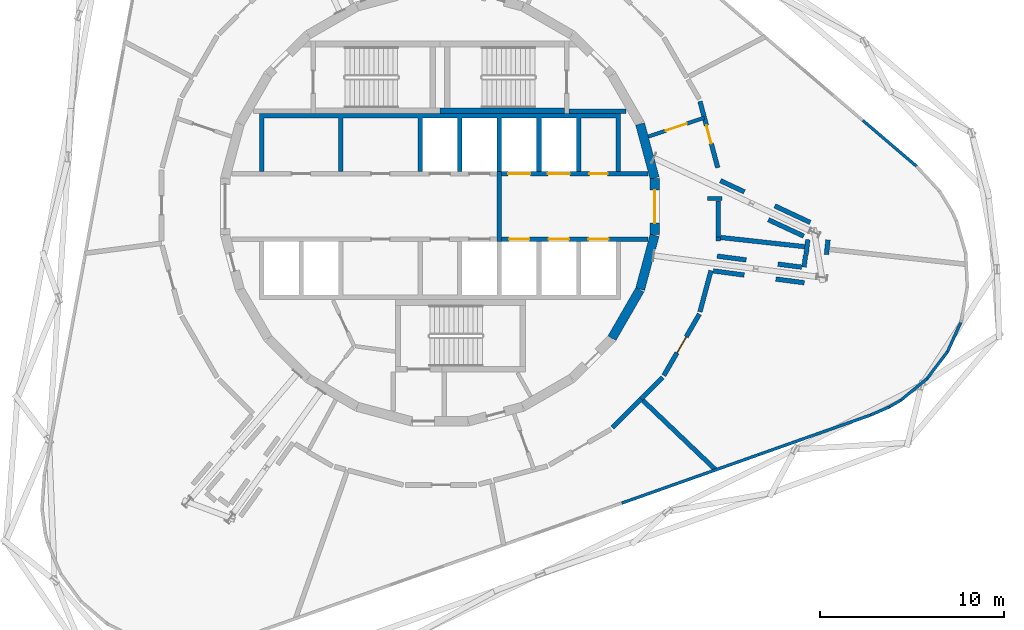
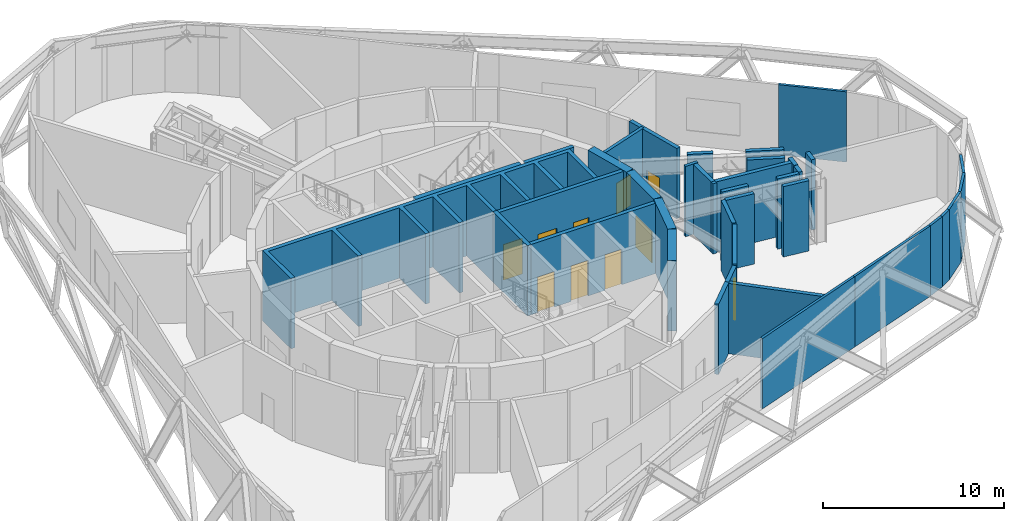
# One storey, part 7 of 12: 39 walls, 10 doors, 10 openings.
"""IFC4 building model written with IfcOpenShell, lengths in metres."""

from ifc_helpers import new_model, si_unit, direction, frame, frame_2d, origin, place, context, subcontext, project, spatial, polyline, rectangle, outline, extrude, material, layer, layer_set, type_object, element, fill, save


model = new_model("IFC4")

# Units and contexts
model_context = context("Model", 3, precision=1e-05, world=origin(), true_north=direction((0.0, 1.0)))
body_context = subcontext(model_context, "Body", "Model", "MODEL_VIEW")
ifc_project = project(units=[si_unit("LENGTHUNIT", "METRE"), si_unit("AREAUNIT", "SQUARE_METRE"), si_unit("VOLUMEUNIT", "CUBIC_METRE"), si_unit("PLANEANGLEUNIT", "RADIAN"), si_unit("MASSUNIT", "GRAM", prefix="KILO")], contexts=[model_context])

# Site, building, storey
site_placement = place(None, origin())
site = spatial("IfcSite", under=ifc_project, at=site_placement, CompositionType="ELEMENT")
building_placement = place(site_placement, origin())
building = spatial("IfcBuilding", under=site, at=building_placement, Name="Spindle Arch Residences", CompositionType="ELEMENT")
storey_placement = place(building_placement, frame((0.0, 0.0, 183.199951171875)))
storey = spatial("IfcBuildingStorey", under=building, at=storey_placement, Name="L46", CompositionType="ELEMENT", Elevation=183.199951171875)

# Walls
ifc_material_1 = material(Name="Concrete C50/60", Category="concrete")
ifc_layer_1 = layer(ifc_material_1, 0.5)
ifc_layer_set_1 = layer_set([ifc_layer_1], Name="Core outline wall 500")
wall_type_1 = type_object("IfcWallType", Name="Core outline wall 500", PredefinedType="SHEAR", material=ifc_layer_set_1)
for number, where, z_axis, x_axis, name in (
    (1, (9.32861328125, -7.13671875, 0.0), (0.0, 0.0, 1.0), (0.500087131594, 0.865975092491, 0.0), "Core outline wall 4"),
    (2, (10.858154296875, -4.479248046875, 0.0), (0.0, 0.0, 1.0), (0.258734743916, 0.965948410781, 0.0), "Core outline wall 5"),
):
    element("IfcWall", number, at=place(storey_placement, frame(where, z_axis=z_axis, x_axis=x_axis)), inside=storey, type_object=wall_type_1, Name=name, PredefinedType="SHEAR", context=body_context, shape_type="SweptSolid", body=[
        extrude(rectangle(XDim=3.03271484375, YDim=0.5, at=frame_2d((1.516357421875, 0.0))), origin(), (0.0, 0.0, 1.0), 4.75),
    ])

# Wall, opening, door
wall_1_placement = place(storey_placement, frame((11.647216796875, -1.516357421875, 0.0), z_axis=(0.0, 0.0, 1.0), x_axis=(0.0, 1.0, 0.0)))
wall_1 = element("IfcWall", 3, at=wall_1_placement, inside=storey, type_object=wall_type_1, Name="Core outline wall 6", PredefinedType="SHEAR", context=body_context, shape_type="SweptSolid", body=[
    extrude(rectangle(XDim=3.03271484375, YDim=0.5, at=frame_2d((1.516357421875, 0.0))), origin(), (0.0, 0.0, 1.0), 4.75),
])
opening_1_placement = place(wall_1_placement, frame((0.6162109375, 0.0, 0.0)))
opening_1 = element("IfcOpeningElement", 4, at=opening_1_placement, cuts=wall_1, Name="Opening L46-FE01", PredefinedType="OPENING", context=body_context, shape_type="SweptSolid", body=[
    extrude(rectangle(XDim=1.800048828125, YDim=2.10009765625, at=frame_2d((0.89990234375, 1.050048828125))), frame((0.0, 0.260009765625, 0.0), z_axis=(0.0, -1.0, 0.0), x_axis=(1.0, 0.0, 0.0)), (0.0, 0.0, 1.0), 0.52001953125),
])
ifc_material_2 = material(Name="Steel, fire-resisting door", Category="steel")
door_type_1 = type_object("IfcDoorType", Name="Fire-lift lobby door 1800x2100", OperationType="DOUBLE_DOOR_SINGLE_SWING", PredefinedType="DOOR", material=ifc_material_2)
door_1_placement = place(opening_1_placement, origin())
door_1 = element("IfcDoor", 5, at=door_1_placement, inside=storey, type_object=door_type_1, Name="Fire-lift lobby door L46-FE01", OperationType="DOUBLE_DOOR_SINGLE_SWING", OverallHeight=2.10009765625, OverallWidth=1.800048828125, PredefinedType="DOOR", context=body_context, shape_type="SweptSolid", body=[
    extrude(rectangle(XDim=1.800048828125, YDim=2.10009765625, at=frame_2d((0.89990234375, 1.050048828125))), frame((0.0, 0.02490234375, 0.0), z_axis=(0.0, -1.0, 0.0), x_axis=(1.0, 0.0, 0.0)), (0.0, 0.0, 1.0), 0.050048828125),
])
fill(opening_1, door_1)

# Wall
wall_2_placement = place(storey_placement, frame((11.642822265625, 1.5498046875, 0.0), z_axis=(0.0, 0.0, 1.0), x_axis=(-0.258734743916, 0.965948410781, 0.0)))
element("IfcWall", 6, at=wall_2_placement, inside=storey, type_object=wall_type_1, Name="Core outline wall 7", PredefinedType="SHEAR", context=body_context, shape_type="SweptSolid", body=[
    extrude(rectangle(XDim=3.03271484375, YDim=0.5, at=frame_2d((1.516357421875, 0.0))), origin(), (0.0, 0.0, 1.0), 4.75),
])

# Wall, openings, doors
ifc_material_3 = material(Name="Concrete C40/50", Category="concrete")
ifc_layer_2 = layer(ifc_material_3, 0.25)
ifc_layer_set_2 = layer_set([ifc_layer_2], Name="Fire-lift lobby wall 250")
wall_type_2 = type_object("IfcWallType", Name="Fire-lift lobby wall 250", PredefinedType="SHEAR", material=ifc_layer_set_2)
wall_3_placement = place(storey_placement, frame((3.35009765625, 1.77490234375, 0.0), z_axis=(0.0, 0.0, 1.0), x_axis=(1.0, 0.0, 0.0)))
wall_3 = element("IfcWall", 7, at=wall_3_placement, inside=storey, type_object=wall_type_2, Name="Lift shaft front wall NE", PredefinedType="SHEAR", context=body_context, shape_type="SweptSolid", body=[
    extrude(rectangle(XDim=7.929931640625, YDim=0.25, at=frame_2d((3.96484375, 0.0))), origin(), (0.0, 0.0, 1.0), 4.75),
])
opening_2_placement = place(wall_3_placement, frame((0.35009765625, 0.0, 0.0)))
opening_2 = element("IfcOpeningElement", 8, at=opening_2_placement, cuts=wall_3, Name="Opening L46-SLD01", PredefinedType="OPENING", context=body_context, shape_type="SweptSolid", body=[
    extrude(rectangle(XDim=1.199951171875, YDim=2.39990234375, at=frame_2d((0.60009765625, 1.199951171875))), frame((0.0, 0.135009765625, 0.0), z_axis=(0.0, -1.0, 0.0), x_axis=(1.0, 0.0, 0.0)), (0.0, 0.0, 1.0), 0.27001953125),
])
opening_3_placement = place(wall_3_placement, frame((2.5, 0.0, 0.0)))
opening_3 = element("IfcOpeningElement", 9, at=opening_3_placement, cuts=wall_3, Name="Opening L46-SLD02", PredefinedType="OPENING", context=body_context, shape_type="SweptSolid", body=[
    extrude(rectangle(XDim=1.199951171875, YDim=2.39990234375, at=frame_2d((0.60009765625, 1.199951171875))), frame((0.0, 0.135009765625, 0.0), z_axis=(0.0, -1.0, 0.0), x_axis=(1.0, 0.0, 0.0)), (0.0, 0.0, 1.0), 0.27001953125),
])
opening_4_placement = place(wall_3_placement, frame((4.75, 0.0, 0.0)))
opening_4 = element("IfcOpeningElement", 10, at=opening_4_placement, cuts=wall_3, Name="Opening L46-PD03", PredefinedType="OPENING", context=body_context, shape_type="SweptSolid", body=[
    extrude(rectangle(XDim=1.0, YDim=2.39990234375, at=frame_2d((0.5, 1.199951171875))), frame((0.0, 0.135009765625, 0.0), z_axis=(0.0, -1.0, 0.0), x_axis=(1.0, 0.0, 0.0)), (0.0, 0.0, 1.0), 0.27001953125),
])
ifc_material_4 = material(Name="Steel, fire-resisting door", Category="steel")
door_type_2 = type_object("IfcDoorType", Name="Plant room door 1000x2400", OperationType="SINGLE_SWING_LEFT", PredefinedType="DOOR", material=ifc_material_4)
door_2_placement = place(opening_4_placement, origin())
door_2 = element("IfcDoor", 11, at=door_2_placement, inside=storey, type_object=door_type_2, Name="Plant room door L46-PD03", OperationType="SINGLE_SWING_LEFT", OverallHeight=2.39990234375, OverallWidth=1.0, PredefinedType="DOOR", context=body_context, shape_type="SweptSolid", body=[
    extrude(rectangle(XDim=1.0, YDim=2.39990234375, at=frame_2d((0.5, 1.199951171875))), frame((0.0, 0.02490234375, 0.0), z_axis=(0.0, -1.0, 0.0), x_axis=(1.0, 0.0, 0.0)), (0.0, 0.0, 1.0), 0.050048828125),
])
fill(opening_4, door_2)
ifc_material_5 = material(Name="Steel, fire-resisting landing door", Category="steel")
door_type_3 = type_object("IfcDoorType", Name="Service lift landing door 1200x2400", OperationType="DOUBLE_DOOR_SLIDING", PredefinedType="DOOR", material=ifc_material_5)
door_3_placement = place(opening_2_placement, origin())
door_3 = element("IfcDoor", 12, at=door_3_placement, inside=storey, type_object=door_type_3, Name="Service lift landing door L46-SLD01", OperationType="DOUBLE_DOOR_SLIDING", OverallHeight=2.39990234375, OverallWidth=1.199951171875, PredefinedType="DOOR", context=body_context, shape_type="SweptSolid", body=[
    extrude(rectangle(XDim=1.199951171875, YDim=2.39990234375, at=frame_2d((0.60009765625, 1.199951171875))), frame((0.0, 0.02490234375, 0.0), z_axis=(0.0, -1.0, 0.0), x_axis=(1.0, 0.0, 0.0)), (0.0, 0.0, 1.0), 0.050048828125),
])
fill(opening_2, door_3)
door_4_placement = place(opening_3_placement, origin())
door_4 = element("IfcDoor", 13, at=door_4_placement, inside=storey, type_object=door_type_3, Name="Service lift landing door L46-SLD02", OperationType="DOUBLE_DOOR_SLIDING", OverallHeight=2.39990234375, OverallWidth=1.199951171875, PredefinedType="DOOR", context=body_context, shape_type="SweptSolid", body=[
    extrude(rectangle(XDim=1.199951171875, YDim=2.39990234375, at=frame_2d((0.60009765625, 1.199951171875))), frame((0.0, 0.02490234375, 0.0), z_axis=(0.0, -1.0, 0.0), x_axis=(1.0, 0.0, 0.0)), (0.0, 0.0, 1.0), 0.050048828125),
])
fill(opening_3, door_4)

# Wall
wall_4_placement = place(storey_placement, frame((3.22509765625, -1.89990234375, 0.0), z_axis=(0.0, 0.0, 1.0), x_axis=(0.0, 1.0, 0.0)))
element("IfcWall", 14, at=wall_4_placement, inside=storey, type_object=wall_type_2, Name="Fire-fighting lobby partition", PredefinedType="SHEAR", context=body_context, shape_type="SweptSolid", body=[
    extrude(rectangle(XDim=3.7998046875, YDim=0.25, at=frame_2d((1.89990234375, 0.0))), origin(), (0.0, 0.0, 1.0), 4.75),
])

# Wall, openings, doors
ifc_material_6 = material(Name="Concrete C50/60", Category="concrete")
ifc_layer_3 = layer(ifc_material_6, 0.25)
ifc_layer_set_3 = layer_set([ifc_layer_3], Name="Fire-lift shaft wall 250")
wall_type_3 = type_object("IfcWallType", Name="Fire-lift shaft wall 250", PredefinedType="SHEAR", material=ifc_layer_set_3)
wall_5_placement = place(storey_placement, frame((3.35009765625, -1.77490234375, 0.0), z_axis=(0.0, 0.0, 1.0), x_axis=(1.0, 0.0, 0.0)))
wall_5 = element("IfcWall", 15, at=wall_5_placement, inside=storey, type_object=wall_type_3, Name="Lift shaft front wall SE", PredefinedType="SHEAR", context=body_context, shape_type="SweptSolid", body=[
    extrude(rectangle(XDim=7.929931640625, YDim=0.25, at=frame_2d((3.96484375, 0.0))), origin(), (0.0, 0.0, 1.0), 4.75),
])
opening_5_placement = place(wall_5_placement, frame((0.39990234375, 0.0, 0.0)))
opening_5 = element("IfcOpeningElement", 16, at=opening_5_placement, cuts=wall_5, Name="Opening L46-FLD01", PredefinedType="OPENING", context=body_context, shape_type="SweptSolid", body=[
    extrude(rectangle(XDim=1.10009765625, YDim=2.39990234375, at=frame_2d((0.550048828125, 1.199951171875))), frame((0.0, 0.135009765625, 0.0), z_axis=(0.0, -1.0, 0.0), x_axis=(1.0, 0.0, 0.0)), (0.0, 0.0, 1.0), 0.27001953125),
])
opening_6_placement = place(wall_5_placement, frame((2.550048828125, 0.0, 0.0)))
opening_6 = element("IfcOpeningElement", 17, at=opening_6_placement, cuts=wall_5, Name="Opening L46-FLD02", PredefinedType="OPENING", context=body_context, shape_type="SweptSolid", body=[
    extrude(rectangle(XDim=1.10009765625, YDim=2.39990234375, at=frame_2d((0.550048828125, 1.199951171875))), frame((0.0, 0.135009765625, 0.0), z_axis=(0.0, -1.0, 0.0), x_axis=(1.0, 0.0, 0.0)), (0.0, 0.0, 1.0), 0.27001953125),
])
opening_7_placement = place(wall_5_placement, frame((4.699951171875, 0.0, 0.0)))
opening_7 = element("IfcOpeningElement", 18, at=opening_7_placement, cuts=wall_5, Name="Opening L46-FLD03", PredefinedType="OPENING", context=body_context, shape_type="SweptSolid", body=[
    extrude(rectangle(XDim=1.10009765625, YDim=2.39990234375, at=frame_2d((0.550048828125, 1.199951171875))), frame((0.0, 0.135009765625, 0.0), z_axis=(0.0, -1.0, 0.0), x_axis=(1.0, 0.0, 0.0)), (0.0, 0.0, 1.0), 0.27001953125),
])
ifc_material_7 = material(Name="Steel, fire-resisting landing door", Category="steel")
door_type_4 = type_object("IfcDoorType", Name="Fire-fighting lift landing door 1100x2400", OperationType="DOUBLE_DOOR_SLIDING", PredefinedType="DOOR", material=ifc_material_7)
door_5_placement = place(opening_5_placement, origin())
door_5 = element("IfcDoor", 19, at=door_5_placement, inside=storey, type_object=door_type_4, Name="Fire-fighting lift landing door L46-FLD01", OperationType="DOUBLE_DOOR_SLIDING", OverallHeight=2.39990234375, OverallWidth=1.10009765625, PredefinedType="DOOR", context=body_context, shape_type="SweptSolid", body=[
    extrude(rectangle(XDim=1.10009765625, YDim=2.39990234375, at=frame_2d((0.550048828125, 1.199951171875))), frame((0.0, 0.02490234375, 0.0), z_axis=(0.0, -1.0, 0.0), x_axis=(1.0, 0.0, 0.0)), (0.0, 0.0, 1.0), 0.050048828125),
])
fill(opening_5, door_5)
door_6_placement = place(opening_6_placement, origin())
door_6 = element("IfcDoor", 20, at=door_6_placement, inside=storey, type_object=door_type_4, Name="Fire-fighting lift landing door L46-FLD02", OperationType="DOUBLE_DOOR_SLIDING", OverallHeight=2.39990234375, OverallWidth=1.10009765625, PredefinedType="DOOR", context=body_context, shape_type="SweptSolid", body=[
    extrude(rectangle(XDim=1.10009765625, YDim=2.39990234375, at=frame_2d((0.550048828125, 1.199951171875))), frame((0.0, 0.02490234375, 0.0), z_axis=(0.0, -1.0, 0.0), x_axis=(1.0, 0.0, 0.0)), (0.0, 0.0, 1.0), 0.050048828125),
])
fill(opening_6, door_6)
door_7_placement = place(opening_7_placement, origin())
door_7 = element("IfcDoor", 21, at=door_7_placement, inside=storey, type_object=door_type_4, Name="Fire-fighting lift landing door L46-FLD03", OperationType="DOUBLE_DOOR_SLIDING", OverallHeight=2.39990234375, OverallWidth=1.10009765625, PredefinedType="DOOR", context=body_context, shape_type="SweptSolid", body=[
    extrude(rectangle(XDim=1.10009765625, YDim=2.39990234375, at=frame_2d((0.550048828125, 1.199951171875))), frame((0.0, 0.02490234375, 0.0), z_axis=(0.0, -1.0, 0.0), x_axis=(1.0, 0.0, 0.0)), (0.0, 0.0, 1.0), 0.050048828125),
])
fill(opening_7, door_7)

# Walls
ifc_material_8 = material(Name="Non-combustible mineral wool insulated aluminium faced external wall (K0)", Category="aluminium")
ifc_layer_4 = layer(ifc_material_8, 0.159912109375)
ifc_layer_set_4 = layer_set([ifc_layer_4], Name="Insulated external wall panel 160")
wall_type_4 = type_object("IfcWallType", Name="Insulated external wall panel 160", PredefinedType="STANDARD", material=ifc_layer_set_4)
wall_6_placement = place(storey_placement, frame((9.8642578125, -16.08251953125, 0.0), z_axis=(0.0, 0.0, 1.0), x_axis=(0.942652676872, 0.333775269883, 0.0)))
element("IfcWall", 22, at=wall_6_placement, inside=storey, type_object=wall_type_4, Name="Plant wall L46 bay 1", PredefinedType="STANDARD", context=body_context, shape_type="SweptSolid", body=[
    extrude(rectangle(XDim=7.860107421875, YDim=0.159912109375, at=frame_2d((3.93017578125, 0.0))), origin(), (0.0, 0.0, 1.0), 4.75),
])
wall_7_placement = place(storey_placement, frame((17.273681640625, -13.458984375, 0.0), z_axis=(0.0, 0.0, 1.0), x_axis=(0.942633672314, 0.33382893796, 0.0)))
element("IfcWall", 23, at=wall_7_placement, inside=storey, type_object=wall_type_4, Name="Plant wall L46 bay 2.1", PredefinedType="STANDARD", context=body_context, shape_type="SweptSolid", body=[
    extrude(rectangle(XDim=6.454833984375, YDim=0.159912109375, at=frame_2d((3.2275390625, 0.0))), origin(), (0.0, 0.0, 1.0), 4.75),
])
wall_8_placement = place(storey_placement, frame((23.355712890625, -11.30517578125, 0.0), z_axis=(0.0, 0.0, 1.0), x_axis=(0.917165011086, 0.398507644141, 0.0)))
element("IfcWall", 24, at=wall_8_placement, inside=storey, type_object=wall_type_4, Name="Plant wall L46 bay 2.2", PredefinedType="STANDARD", context=body_context, shape_type="SweptSolid", body=[
    extrude(rectangle(XDim=1.103271484375, YDim=0.159912109375, at=frame_2d((0.5517578125, 0.0))), origin(), (0.0, 0.0, 1.0), 4.75),
])
wall_9_placement = place(storey_placement, frame((24.36767578125, -10.865478515625, 0.0), z_axis=(0.0, 0.0, 1.0), x_axis=(0.864683082899, 0.502317793979, 0.0)))
element("IfcWall", 25, at=wall_9_placement, inside=storey, type_object=wall_type_4, Name="Plant wall L46 bay 3.1", PredefinedType="STANDARD", context=body_context, shape_type="SweptSolid", body=[
    extrude(rectangle(XDim=0.7431640625, YDim=0.159912109375, at=frame_2d((0.37158203125, 0.0))), origin(), (0.0, 0.0, 1.0), 4.75),
])
wall_10_placement = place(storey_placement, frame((25.0048828125, -10.495849609375, 0.0), z_axis=(0.0, 0.0, 1.0), x_axis=(0.771601970695, 0.636105650674, 0.0)))
element("IfcWall", 26, at=wall_10_placement, inside=storey, type_object=wall_type_4, Name="Plant wall L46 bay 3.2", PredefinedType="STANDARD", context=body_context, shape_type="SweptSolid", body=[
    extrude(rectangle(XDim=1.846923828125, YDim=0.159912109375, at=frame_2d((0.92333984375, 0.0))), origin(), (0.0, 0.0, 1.0), 4.75),
])
wall_11_placement = place(storey_placement, frame((26.423583984375, -9.327880859375, 0.0), z_axis=(0.0, 0.0, 1.0), x_axis=(0.604071299834, 0.796930275945, 0.0)))
element("IfcWall", 27, at=wall_11_placement, inside=storey, type_object=wall_type_4, Name="Plant wall L46 bay 3.3", PredefinedType="STANDARD", context=body_context, shape_type="SweptSolid", body=[
    extrude(rectangle(XDim=1.84814453125, YDim=0.159912109375, at=frame_2d((0.924072265625, 0.0))), origin(), (0.0, 0.0, 1.0), 4.75),
])
wall_12_placement = place(storey_placement, frame((27.535400390625, -7.86279296875, 0.0), z_axis=(0.0, 0.0, 1.0), x_axis=(0.410096035118, 0.912042346594, 0.0)))
element("IfcWall", 28, at=wall_12_placement, inside=storey, type_object=wall_type_4, Name="Plant wall L46 bay 3.4", PredefinedType="STANDARD", context=body_context, shape_type="SweptSolid", body=[
    extrude(rectangle(XDim=1.73828125, YDim=0.159912109375, at=frame_2d((0.869140625, 0.0))), origin(), (0.0, 0.0, 1.0), 4.75),
])
wall_13_placement = place(storey_placement, frame((25.8583984375, 2.181884765625, 0.0), z_axis=(0.0, 0.0, 1.0), x_axis=(-0.760369748935, 0.649490450203, 0.0)))
element("IfcWall", 29, at=wall_13_placement, inside=storey, type_object=wall_type_4, Name="Plant wall L46 bay 5.3", PredefinedType="STANDARD", context=body_context, shape_type="SweptSolid", body=[
    extrude(rectangle(XDim=3.835693359375, YDim=0.159912109375, at=frame_2d((1.91796875, 0.0))), origin(), (0.0, 0.0, 1.0), 4.75),
])
ifc_material_9 = material(Name="Concrete C50/60", Category="concrete")
wall_type_5 = type_object("IfcWallType", Name="Lift shaft wall profile", PredefinedType="SHEAR", material=ifc_material_9)
wall_14_placement = place(storey_placement, origin())
element("IfcWall", 30, at=wall_14_placement, inside=storey, type_object=wall_type_5, Name="Lift shaft walls N", PredefinedType="SHEAR", context=body_context, shape_type="SweptSolid", body=[
    extrude(outline(polyline([(-9.550048828125, 4.800048828125), (-5.5, 4.800048828125), (-5.5, 1.89990234375), (-5.25, 1.89990234375), (-5.25, 4.800048828125), (-1.199951171875, 4.800048828125), (-1.199951171875, 1.89990234375), (-0.949951171875, 1.89990234375), (-0.949951171875, 4.800048828125), (0.949951171875, 4.800048828125), (0.949951171875, 1.89990234375), (1.199951171875, 1.89990234375), (1.199951171875, 4.800048828125), (3.10009765625, 4.800048828125), (3.10009765625, 1.89990234375), (3.35009765625, 1.89990234375), (3.35009765625, 4.800048828125), (5.25, 4.800048828125), (5.25, 1.89990234375), (5.5, 1.89990234375), (5.5, 4.800048828125), (7.39990234375, 4.800048828125), (7.39990234375, 1.89990234375), (7.64990234375, 1.89990234375), (7.64990234375, 4.800048828125), (9.550048828125, 4.800048828125), (9.550048828125, 1.89990234375), (9.800048828125, 1.89990234375), (9.800048828125, 4.800048828125), (9.800048828125, 5.050048828125), (-9.800048828125, 5.050048828125), (-9.800048828125, 4.800048828125), (-9.800048828125, 1.89990234375), (-9.550048828125, 1.89990234375), (-9.550048828125, 4.800048828125)])), origin(), (0.0, 0.0, 1.0), 4.75),
])
ifc_material_10 = material(Name="Concrete C25/30 wall", Category="concrete")
ifc_layer_5 = layer(ifc_material_10, 0.25)
ifc_layer_set_5 = layer_set([ifc_layer_5], Name="Partition EI 120 250 plant")
wall_type_6 = type_object("IfcWallType", Name="Partition EI 120 250 plant", PredefinedType="PARTITIONING", material=ifc_layer_set_5)
wall_15_placement = place(storey_placement, frame((9.3583984375, -11.99169921875, 0.0), z_axis=(0.0, 0.0, 1.0), x_axis=(0.707051506082, 0.707162051971, 0.0)))
element("IfcWall", 31, at=wall_15_placement, inside=storey, type_object=wall_type_6, Name="L46-W055", PredefinedType="PARTITIONING", context=body_context, shape_type="SweptSolid", body=[
    extrude(rectangle(XDim=2.20849609375, YDim=0.25, at=frame_2d((1.104248046875, 0.0))), origin(), (0.0, 0.0, 1.0), 4.75),
])
wall_16_placement = place(storey_placement, frame((10.919921875, -10.429931640625, 0.0), z_axis=(0.0, 0.0, 1.0), x_axis=(0.707181186066, 0.707032368477, 0.0)))
element("IfcWall", 32, at=wall_16_placement, inside=storey, type_object=wall_type_6, Name="L46-W057", PredefinedType="PARTITIONING", context=body_context, shape_type="SweptSolid", body=[
    extrude(rectangle(XDim=1.640625, YDim=0.25, at=frame_2d((0.8203125, 0.0))), origin(), (0.0, 0.0, 1.0), 4.75),
])
wall_17_placement = place(storey_placement, frame((11.010498046875, -10.516357421875, 0.0), z_axis=(0.0, 0.0, 1.0), x_axis=(0.723696518253, -0.690118359029, 0.0)))
element("IfcWall", 33, at=wall_17_placement, inside=storey, type_object=wall_type_6, Name="L46-W058", PredefinedType="PARTITIONING", context=body_context, shape_type="SweptSolid", body=[
    extrude(rectangle(XDim=5.46044921875, YDim=0.25, at=frame_2d((2.730224609375, 0.0))), origin(), (0.0, 0.0, 1.0), 4.75),
])

# Wall, opening, door
wall_18_placement = place(storey_placement, frame((12.142578125, -9.161865234375, 0.0), z_axis=(0.0, 0.0, 1.0), x_axis=(0.500756218026, 0.865588360659, 0.0)))
wall_18 = element("IfcWall", 34, at=wall_18_placement, inside=storey, type_object=wall_type_6, Name="L46-W059", PredefinedType="PARTITIONING", context=body_context, shape_type="SweptSolid", body=[
    extrude(rectangle(XDim=3.84912109375, YDim=0.25, at=frame_2d((1.924560546875, 0.0))), origin(), (0.0, 0.0, 1.0), 4.75),
])
opening_8_placement = place(wall_18_placement, frame((1.424560546875, 0.0, 0.0)))
opening_8 = element("IfcOpeningElement", 35, at=opening_8_placement, cuts=wall_18, Name="Opening L46-D04", PredefinedType="OPENING", context=body_context, shape_type="SweptSolid", body=[
    extrude(rectangle(XDim=1.0, YDim=2.10009765625, at=frame_2d((0.5, 1.050048828125))), frame((0.0, 0.135009765625, 0.0), z_axis=(0.0, -1.0, 0.0), x_axis=(1.0, 0.0, 0.0)), (0.0, 0.0, 1.0), 0.27001953125),
])
ifc_material_11 = material(Name="Steel door leaf, painted", Category="steel")
door_type_5 = type_object("IfcDoorType", Name="Door 1000x2100 EI 60", OperationType="SINGLE_SWING_LEFT", PredefinedType="DOOR", material=ifc_material_11)
door_8_placement = place(opening_8_placement, origin())
door_8 = element("IfcDoor", 36, at=door_8_placement, inside=storey, type_object=door_type_5, Name="L46-D04", OperationType="SINGLE_SWING_LEFT", OverallHeight=2.10009765625, OverallWidth=1.0, PredefinedType="DOOR", context=body_context, shape_type="SweptSolid", body=[
    extrude(rectangle(XDim=1.0, YDim=2.10009765625, at=frame_2d((0.5, 1.050048828125))), frame((0.0, 0.02490234375, 0.0), z_axis=(0.0, -1.0, 0.0), x_axis=(1.0, 0.0, 0.0)), (0.0, 0.0, 1.0), 0.050048828125),
])
fill(opening_8, door_8)

# Walls
wall_19_placement = place(storey_placement, frame((14.102294921875, -5.709228515625, 0.0), z_axis=(0.0, 0.0, 1.0), x_axis=(0.257872450401, 0.966178968579, 0.0)))
element("IfcWall", 37, at=wall_19_placement, inside=storey, type_object=wall_type_6, Name="L46-W062", PredefinedType="PARTITIONING", context=body_context, shape_type="SweptSolid", body=[
    extrude(rectangle(XDim=2.317626953125, YDim=0.25, at=frame_2d((1.15869140625, 0.0))), origin(), (0.0, 0.0, 1.0), 4.75),
])
wall_20_placement = place(storey_placement, frame((14.823974609375, -3.486572265625, 0.0), z_axis=(0.0, 0.0, 1.0), x_axis=(0.991234204775, -0.132116430789, 0.0)))
element("IfcWall", 38, at=wall_20_placement, inside=storey, type_object=wall_type_6, Name="L46-W065", PredefinedType="PARTITIONING", context=body_context, shape_type="SweptSolid", body=[
    extrude(rectangle(XDim=1.69091796875, YDim=0.25, at=frame_2d((0.845458984375, 0.0))), origin(), (0.0, 0.0, 1.0), 4.75),
])
wall_21_placement = place(storey_placement, frame((15.10009765625, -1.864990234375, 0.0), z_axis=(0.0, 0.0, 1.0), x_axis=(0.0, 1.0, 0.0)))
element("IfcWall", 39, at=wall_21_placement, inside=storey, type_object=wall_type_6, Name="L46-W066", PredefinedType="PARTITIONING", context=body_context, shape_type="SweptSolid", body=[
    extrude(rectangle(XDim=0.205078125, YDim=0.25, at=frame_2d((0.1025390625, 0.0))), origin(), (0.0, 0.0, 1.0), 4.75),
])
wall_22_placement = place(storey_placement, frame((15.10009765625, -1.659912109375, 0.0), z_axis=(0.0, 0.0, 1.0), x_axis=(0.0, 1.0, 0.0)))
element("IfcWall", 40, at=wall_22_placement, inside=storey, type_object=wall_type_6, Name="L46-W067", PredefinedType="PARTITIONING", context=body_context, shape_type="SweptSolid", body=[
    extrude(rectangle(XDim=1.969970703125, YDim=0.25, at=frame_2d((0.98486328125, 0.0))), origin(), (0.0, 0.0, 1.0), 4.75),
])
wall_23_placement = place(storey_placement, frame((15.224365234375, -1.673583984375, 0.0), z_axis=(0.0, 0.0, 1.0), x_axis=(0.994052069643, -0.10890584391, 0.0)))
element("IfcWall", 41, at=wall_23_placement, inside=storey, type_object=wall_type_6, Name="L46-W068", PredefinedType="PARTITIONING", context=body_context, shape_type="SweptSolid", body=[
    extrude(rectangle(XDim=4.58447265625, YDim=0.25, at=frame_2d((2.292236328125, 0.0))), origin(), (0.0, 0.0, 1.0), 4.75),
])

# Wall, opening, door
wall_24_placement = place(storey_placement, frame((15.067626953125, 2.11083984375, 0.0), z_axis=(0.0, 0.0, 1.0), x_axis=(-0.259106201401, 0.965848837239, 0.0)))
wall_24 = element("IfcWall", 42, at=wall_24_placement, inside=storey, type_object=wall_type_6, Name="L46-W069", PredefinedType="PARTITIONING", context=body_context, shape_type="SweptSolid", body=[
    extrude(rectangle(XDim=3.7255859375, YDim=0.25, at=frame_2d((1.86279296875, 0.0))), origin(), (0.0, 0.0, 1.0), 4.75),
])
opening_9_placement = place(wall_24_placement, frame((1.36279296875, 0.0, 0.0)))
opening_9 = element("IfcOpeningElement", 43, at=opening_9_placement, cuts=wall_24, Name="Opening L46-D05", PredefinedType="OPENING", context=body_context, shape_type="SweptSolid", body=[
    extrude(rectangle(XDim=1.0, YDim=2.10009765625, at=frame_2d((0.5, 1.050048828125))), frame((0.0, 0.135009765625, 0.0), z_axis=(0.0, -1.0, 0.0), x_axis=(1.0, 0.0, 0.0)), (0.0, 0.0, 1.0), 0.27001953125),
])
door_9_placement = place(opening_9_placement, origin())
door_9 = element("IfcDoor", 44, at=door_9_placement, inside=storey, type_object=door_type_5, Name="L46-D05", OperationType="SINGLE_SWING_LEFT", OverallHeight=2.10009765625, OverallWidth=1.0, PredefinedType="DOOR", context=body_context, shape_type="SweptSolid", body=[
    extrude(rectangle(XDim=1.0, YDim=2.10009765625, at=frame_2d((0.5, 1.050048828125))), frame((0.0, 0.02490234375, 0.0), z_axis=(0.0, -1.0, 0.0), x_axis=(1.0, 0.0, 0.0)), (0.0, 0.0, 1.0), 0.050048828125),
])
fill(opening_9, door_9)

# Walls
wall_25_placement = place(storey_placement, frame((16.510009765625, 0.800048828125, 0.0), z_axis=(0.0, 0.0, 1.0), x_axis=(-0.905720868183, 0.423874638235, 0.0)))
element("IfcWall", 45, at=wall_25_placement, inside=storey, type_object=wall_type_6, Name="L46-W070", PredefinedType="PARTITIONING", context=body_context, shape_type="SweptSolid", body=[
    extrude(rectangle(XDim=1.431884765625, YDim=0.25, at=frame_2d((0.7158203125, 0.0))), origin(), (0.0, 0.0, 1.0), 4.75),
])
wall_26_placement = place(storey_placement, frame((16.610107421875, -2.889892578125, 0.0), z_axis=(0.0, 0.0, 1.0), x_axis=(-0.991739457585, 0.128268656611, 0.0)))
element("IfcWall", 46, at=wall_26_placement, inside=storey, type_object=wall_type_6, Name="L46-W071", PredefinedType="PARTITIONING", context=body_context, shape_type="SweptSolid", body=[
    extrude(rectangle(XDim=1.58935546875, YDim=0.25, at=frame_2d((0.794677734375, 0.0))), origin(), (0.0, 0.0, 1.0), 4.75),
])
wall_27_placement = place(storey_placement, frame((17.81005859375, -0.7099609375, 0.0), z_axis=(0.0, 0.0, 1.0), x_axis=(0.907235451834, -0.420623150736, 0.0)))
element("IfcWall", 47, at=wall_27_placement, inside=storey, type_object=wall_type_6, Name="L46-W073", PredefinedType="PARTITIONING", context=body_context, shape_type="SweptSolid", body=[
    extrude(rectangle(XDim=2.1162109375, YDim=0.25, at=frame_2d((1.05810546875, 0.0))), origin(), (0.0, 0.0, 1.0), 4.75),
])
wall_28_placement = place(storey_placement, frame((18.219970703125, -3.929931640625, 0.0), z_axis=(0.0, 0.0, 1.0), x_axis=(0.991732145858, -0.128325176301, 0.0)))
element("IfcWall", 48, at=wall_28_placement, inside=storey, type_object=wall_type_6, Name="L46-W074", PredefinedType="PARTITIONING", context=body_context, shape_type="SweptSolid", body=[
    extrude(rectangle(XDim=1.554443359375, YDim=0.25, at=frame_2d((0.77734375, 0.0))), origin(), (0.0, 0.0, 1.0), 4.75),
])
wall_29_placement = place(storey_placement, frame((19.620361328125, -3.28369140625, 0.0), z_axis=(0.0, 0.0, 1.0), x_axis=(-0.992059772681, 0.125767274872, 0.0)))
element("IfcWall", 49, at=wall_29_placement, inside=storey, type_object=wall_type_6, Name="L46-W075", PredefinedType="PARTITIONING", context=body_context, shape_type="SweptSolid", body=[
    extrude(rectangle(XDim=1.300537109375, YDim=0.25, at=frame_2d((0.650390625, 0.0))), origin(), (0.0, 0.0, 1.0), 4.75),
])
wall_30_placement = place(storey_placement, frame((20.080078125, -0.860107421875, 0.0), z_axis=(0.0, 0.0, 1.0), x_axis=(-0.905446492275, 0.424460421744, 0.0)))
element("IfcWall", 50, at=wall_30_placement, inside=storey, type_object=wall_type_6, Name="L46-W076", PredefinedType="PARTITIONING", context=body_context, shape_type="SweptSolid", body=[
    extrude(rectangle(XDim=2.12060546875, YDim=0.25, at=frame_2d((1.060302734375, 0.0))), origin(), (0.0, 0.0, 1.0), 4.75),
])
wall_31_placement = place(storey_placement, frame((19.8623046875, -2.583984375, 0.0), z_axis=(0.0, 0.0, 1.0), x_axis=(0.108655902306, 0.994079420818, 0.0)))
element("IfcWall", 51, at=wall_31_placement, inside=storey, type_object=wall_type_6, Name="L46-W083", PredefinedType="PARTITIONING", context=body_context, shape_type="SweptSolid", body=[
    extrude(rectangle(XDim=0.7998046875, YDim=0.25, at=frame_2d((0.39990234375, 0.0))), origin(), (0.0, 0.0, 1.0), 4.75),
])
wall_32_placement = place(storey_placement, frame((19.746826171875, -3.280029296875, 0.0), z_axis=(0.0, 0.0, 1.0), x_axis=(0.125978143653, 0.992033017254, 0.0)))
element("IfcWall", 52, at=wall_32_placement, inside=storey, type_object=wall_type_6, Name="L46-W084", PredefinedType="PARTITIONING", context=body_context, shape_type="SweptSolid", body=[
    extrude(rectangle(XDim=0.68017578125, YDim=0.25, at=frame_2d((0.340087890625, 0.0))), origin(), (0.0, 0.0, 1.0), 4.75),
])
wall_33_placement = place(storey_placement, frame((21.048583984375, -1.806640625, 0.0), z_axis=(0.0, 0.0, 1.0), x_axis=(-0.108655902306, -0.994079420818, 0.0)))
element("IfcWall", 53, at=wall_33_placement, inside=storey, type_object=wall_type_6, Name="L46-W085", PredefinedType="PARTITIONING", context=body_context, shape_type="SweptSolid", body=[
    extrude(rectangle(XDim=0.7998046875, YDim=0.25, at=frame_2d((0.39990234375, 0.0))), origin(), (0.0, 0.0, 1.0), 4.75),
])

# Wall, opening, door
ifc_material_12 = material(Name="Gypsum board partition on steel studs", Category="steel")
ifc_layer_6 = layer(ifc_material_12, 0.199951171875)
ifc_layer_set_6 = layer_set([ifc_layer_6], Name="Partition EI 60 200 amenity")
wall_type_7 = type_object("IfcWallType", Name="Partition EI 60 200 amenity", PredefinedType="PARTITIONING", material=ifc_layer_set_6)
wall_34_placement = place(storey_placement, frame((14.340087890625, 4.820068359375, 0.0), z_axis=(0.0, 0.0, 1.0), x_axis=(-0.94805712629, -0.318100118345, 0.0)))
wall_34 = element("IfcWall", 54, at=wall_34_placement, inside=storey, type_object=wall_type_7, Name="L46-W064", PredefinedType="PARTITIONING", context=body_context, shape_type="SweptSolid", body=[
    extrude(rectangle(XDim=3.20654296875, YDim=0.199951171875, at=frame_2d((1.603271484375, 0.0))), origin(), (0.0, 0.0, 1.0), 4.75),
])
opening_10_placement = place(wall_34_placement, frame((1.00341796875, 0.0, 0.0)))
opening_10 = element("IfcOpeningElement", 55, at=opening_10_placement, cuts=wall_34, Name="Opening L46-D14", PredefinedType="OPENING", context=body_context, shape_type="SweptSolid", body=[
    extrude(rectangle(XDim=1.199951171875, YDim=2.10009765625, at=frame_2d((0.60009765625, 1.050048828125))), frame((0.0, 0.10986328125, 0.0), z_axis=(0.0, -1.0, 0.0), x_axis=(1.0, 0.0, 0.0)), (0.0, 0.0, 1.0), 0.219970703125),
])
ifc_material_13 = material(Name="Steel door leaf, painted", Category="steel")
door_type_6 = type_object("IfcDoorType", Name="Door 1200x2100 EI 60", OperationType="SINGLE_SWING_LEFT", PredefinedType="DOOR", material=ifc_material_13)
door_10_placement = place(opening_10_placement, origin())
door_10 = element("IfcDoor", 56, at=door_10_placement, inside=storey, type_object=door_type_6, Name="L46-D14", OperationType="SINGLE_SWING_LEFT", OverallHeight=2.10009765625, OverallWidth=1.199951171875, PredefinedType="DOOR", context=body_context, shape_type="SweptSolid", body=[
    extrude(rectangle(XDim=1.199951171875, YDim=2.10009765625, at=frame_2d((0.60009765625, 1.050048828125))), frame((0.0, 0.02490234375, 0.0), z_axis=(0.0, -1.0, 0.0), x_axis=(1.0, 0.0, 0.0)), (0.0, 0.0, 1.0), 0.050048828125),
])
fill(opening_10, door_10)

# Walls
wall_35_placement = place(storey_placement, frame((15.300048828125, 0.43505859375, 0.0), z_axis=(0.0, 0.0, 1.0), x_axis=(-1.0, 0.0, 0.0)))
element("IfcWall", 57, at=wall_35_placement, inside=storey, type_object=wall_type_7, Name="L46-W082", PredefinedType="PARTITIONING", context=body_context, shape_type="SweptSolid", body=[
    extrude(rectangle(XDim=0.800048828125, YDim=0.199951171875, at=frame_2d((0.39990234375, 0.0))), origin(), (0.0, 0.0, 1.0), 4.75),
])
ifc_material_14 = material(Name="Concrete C40/50", Category="concrete")
ifc_layer_7 = layer(ifc_material_14, 0.25)
ifc_layer_set_7 = layer_set([ifc_layer_7], Name="Stair airlock wall 250")
wall_type_8 = type_object("IfcWallType", Name="Stair airlock wall 250", PredefinedType="SHEAR", material=ifc_layer_set_7)
wall_36_placement = place(storey_placement, frame((7.0, 5.175048828125, 0.0), z_axis=(0.0, 0.0, 1.0), x_axis=(1.0, 0.0, 0.0)))
element("IfcWall", 58, at=wall_36_placement, inside=storey, type_object=wall_type_8, Name="Stair ST-1 airlock wall S", PredefinedType="SHEAR", context=body_context, shape_type="SweptSolid", body=[
    extrude(rectangle(XDim=3.10009765625, YDim=0.25, at=frame_2d((1.550048828125, 0.0))), origin(), (0.0, 0.0, 1.0), 4.75),
])
ifc_material_15 = material(Name="Concrete C50/60", Category="concrete")
ifc_layer_8 = layer(ifc_material_15, 0.300048828125)
ifc_layer_set_8 = layer_set([ifc_layer_8], Name="Stair enclosure wall 300")
wall_type_9 = type_object("IfcWallType", Name="Stair enclosure wall 300", PredefinedType="SHEAR", material=ifc_layer_set_8)
wall_37_placement = place(storey_placement, frame((0.0, 5.199951171875, 0.0), z_axis=(0.0, 0.0, 1.0), x_axis=(1.0, 0.0, 0.0)))
element("IfcWall", 59, at=wall_37_placement, inside=storey, type_object=wall_type_9, Name="Stair ST-1 enclosure wall S", PredefinedType="SHEAR", context=body_context, shape_type="SweptSolid", body=[
    extrude(rectangle(XDim=6.75, YDim=0.300048828125, at=frame_2d((3.375, 0.0))), origin(), (0.0, 0.0, 1.0), 4.75),
])

save(model, "model.ifc")
